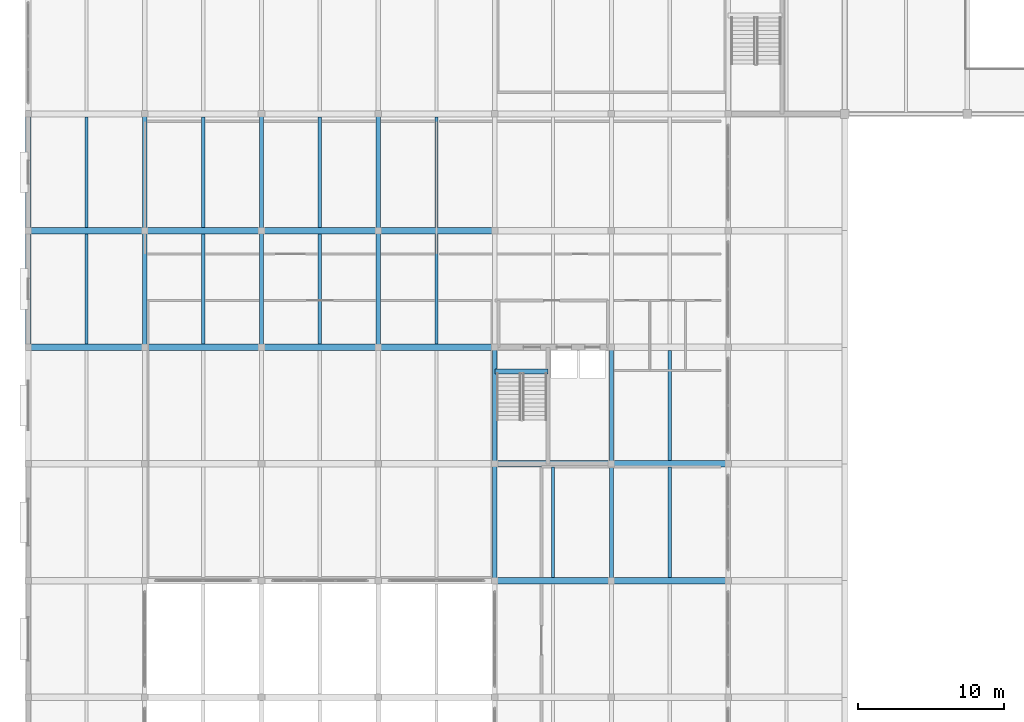
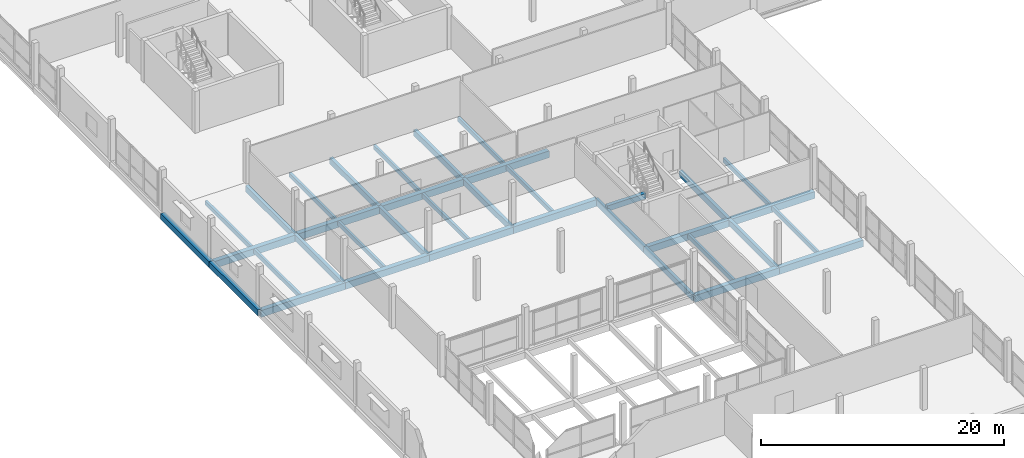
# One storey, part 13 of 53: 36 beams.
"""IFC4 building model written with IfcOpenShell, lengths in metres."""

from ifc_helpers import new_model, si_unit, direction, frame, origin, origin_2d, place, context, subcontext, project, spatial, rectangle, extrude, material, material_profile, profile_set, type_object, element, save


model = new_model("IFC4")

# Units and contexts
model_context = context("Model", 3, precision=1e-05, world=origin(), true_north=direction((0.0, 1.0)))
body_context = subcontext(model_context, "Body", "Model", "MODEL_VIEW")
ifc_project = project(units=[si_unit("LENGTHUNIT", "METRE"), si_unit("AREAUNIT", "SQUARE_METRE"), si_unit("VOLUMEUNIT", "CUBIC_METRE"), si_unit("PLANEANGLEUNIT", "RADIAN"), si_unit("MASSUNIT", "GRAM", prefix="KILO")], contexts=[model_context])

# Site, building, storey
site_placement = place(None, origin())
site = spatial("IfcSite", under=ifc_project, at=site_placement, CompositionType="ELEMENT")
building_placement = place(site_placement, origin())
building = spatial("IfcBuilding", under=site, at=building_placement, Name="Vharandega Faculty of Natural Sciences", CompositionType="ELEMENT")
storey_placement = place(building_placement, frame((0.0, 0.0, 10.199951171875)))
storey = spatial("IfcBuildingStorey", under=building, at=storey_placement, Name="L02", CompositionType="ELEMENT", Elevation=10.199951171875)

# Beams
ifc_material_1 = material(Name="Glulam GL28h", Category="wood")
ifc_material_profile_1 = material_profile(ifc_material_1, rectangle(XDim=0.300048828125, YDim=0.60009765625, at=origin_2d()), Name="GL28h 300x600")
ifc_profile_set_1 = profile_set([ifc_material_profile_1], Name="Glulam GL28h")
beam_type_1 = type_object("IfcBeamType", Name="Glulam Floor Beam 300x600", PredefinedType="BEAM", material=ifc_profile_set_1)
for number, where, z_axis, x_axis, name in (
    (1, (8.0, 48.0, -0.579833984375), (0.0, 1.0, 0.0), (-1.0, 0.0, 0.0), "Beam L02 2/G-H"),
    (2, (8.0, 56.0, -0.579833984375), (0.0, 1.0, 0.0), (-1.0, 0.0, 0.0), "Beam L02 2/H-J"),
    (3, (16.0, 48.0, -0.579833984375), (0.0, 1.0, 0.0), (-1.0, 0.0, 0.0), "Beam L02 3/G-H"),
    (4, (16.0, 56.0, -0.579833984375), (0.0, 1.0, 0.0), (-1.0, 0.0, 0.0), "Beam L02 3/H-J"),
    (5, (24.0, 48.0, -0.579833984375), (0.0, 1.0, 0.0), (-1.0, 0.0, 0.0), "Beam L02 4/G-H"),
    (6, (24.0, 56.0, -0.579833984375), (0.0, 1.0, 0.0), (-1.0, 0.0, 0.0), "Beam L02 4/H-J"),
    (7, (32.0, 32.0, -0.579833984375), (0.0, 1.0, 0.0), (-1.0, 0.0, 0.0), "Beam L02 5/E-F"),
    (8, (32.0, 40.0, -0.579833984375), (0.0, 1.0, 0.0), (-1.0, 0.0, 0.0), "Beam L02 5/F-G"),
    (9, (40.0, 32.0, -0.579833984375), (0.0, 1.0, 0.0), (-1.0, 0.0, 0.0), "Beam L02 6/E-F"),
    (10, (40.0, 40.0, -0.579833984375), (0.0, 1.0, 0.0), (-1.0, 0.0, 0.0), "Beam L02 6/F-G"),
):
    element("IfcBeam", number, at=place(storey_placement, frame(where, z_axis=z_axis, x_axis=x_axis)), inside=storey, type_object=beam_type_1, Name=name, PredefinedType="BEAM", context=body_context, shape_type="SweptSolid", body=[
        extrude(rectangle(XDim=0.300048828125, YDim=0.60009765625, at=origin_2d()), origin(), (0.0, 0.0, 1.0), 8.0),
    ])
ifc_material_2 = material(Name="Glulam GL32h", Category="wood")
ifc_material_profile_2 = material_profile(ifc_material_2, rectangle(XDim=0.43994140625, YDim=0.679931640625, at=origin_2d()), Name="GL32h 440x680")
ifc_profile_set_2 = profile_set([ifc_material_profile_2], Name="Glulam GL32h")
beam_type_2 = type_object("IfcBeamType", Name="Glulam Girder 440x680", PredefinedType="BEAM", material=ifc_profile_set_2)
for number, where, z_axis, x_axis, name in (
    (11, (32.0, 32.0, -0.619873046875), (1.0, 0.0, 0.0), (0.0, 1.0, 0.0), "Beam L02 E/5-6"),
    (12, (40.0, 32.0, -0.619873046875), (1.0, 0.0, 0.0), (0.0, 1.0, 0.0), "Beam L02 E/6-7"),
    (13, (32.0, 40.0, -0.619873046875), (1.0, 0.0, 0.0), (0.0, 1.0, 0.0), "Beam L02 F/5-6"),
    (14, (40.0, 40.0, -0.619873046875), (1.0, 0.0, 0.0), (0.0, 1.0, 0.0), "Beam L02 F/6-7"),
    (15, (0.0, 48.0, -0.619873046875), (1.0, 0.0, 0.0), (0.0, 1.0, 0.0), "Beam L02 G/1-2"),
    (16, (8.0, 48.0, -0.619873046875), (1.0, 0.0, 0.0), (0.0, 1.0, 0.0), "Beam L02 G/2-3"),
    (17, (16.0, 48.0, -0.619873046875), (1.0, 0.0, 0.0), (0.0, 1.0, 0.0), "Beam L02 G/3-4"),
    (18, (24.0, 48.0, -0.619873046875), (1.0, 0.0, 0.0), (0.0, 1.0, 0.0), "Beam L02 G/4-5"),
    (19, (0.0, 56.0, -0.619873046875), (1.0, 0.0, 0.0), (0.0, 1.0, 0.0), "Beam L02 H/1-2"),
    (20, (8.0, 56.0, -0.619873046875), (1.0, 0.0, 0.0), (0.0, 1.0, 0.0), "Beam L02 H/2-3"),
    (21, (16.0, 56.0, -0.619873046875), (1.0, 0.0, 0.0), (0.0, 1.0, 0.0), "Beam L02 H/3-4"),
    (22, (24.0, 56.0, -0.619873046875), (1.0, 0.0, 0.0), (0.0, 1.0, 0.0), "Beam L02 H/4-5"),
):
    element("IfcBeam", number, at=place(storey_placement, frame(where, z_axis=z_axis, x_axis=x_axis)), inside=storey, type_object=beam_type_2, Name=name, PredefinedType="BEAM", context=body_context, shape_type="SweptSolid", body=[
        extrude(rectangle(XDim=0.43994140625, YDim=0.679931640625, at=origin_2d()), origin(), (0.0, 0.0, 1.0), 8.0),
    ])
ifc_material_3 = material(Name="Glulam GL28h", Category="wood")
ifc_material_profile_3 = material_profile(ifc_material_3, rectangle(XDim=0.219970703125, YDim=0.43994140625, at=origin_2d()), Name="GL28h 220x440")
ifc_profile_set_3 = profile_set([ifc_material_profile_3], Name="Glulam GL28h")
beam_type_3 = type_object("IfcBeamType", Name="Glulam Secondary Joist 220x440", PredefinedType="JOIST", material=ifc_profile_set_3)
for number, where, z_axis, x_axis, name in (
    (23, (4.0, 48.219970703125, -0.5), (0.0, 1.0, 0.0), (-1.0, 0.0, 0.0), "Secondary Joist L02 1-2/G-H"),
    (24, (4.0, 56.219970703125, -0.5), (0.0, 1.0, 0.0), (-1.0, 0.0, 0.0), "Secondary Joist L02 1-2/H-J"),
    (25, (12.0, 48.219970703125, -0.5), (0.0, 1.0, 0.0), (-1.0, 0.0, 0.0), "Secondary Joist L02 2-3/G-H"),
    (26, (12.0, 56.219970703125, -0.5), (0.0, 1.0, 0.0), (-1.0, 0.0, 0.0), "Secondary Joist L02 2-3/H-J"),
    (27, (20.0, 48.219970703125, -0.5), (0.0, 1.0, 0.0), (-1.0, 0.0, 0.0), "Secondary Joist L02 3-4/G-H"),
    (28, (20.0, 56.219970703125, -0.5), (0.0, 1.0, 0.0), (-1.0, 0.0, 0.0), "Secondary Joist L02 3-4/H-J"),
    (29, (28.0, 48.219970703125, -0.5), (0.0, 1.0, 0.0), (-1.0, 0.0, 0.0), "Secondary Joist L02 4-5/G-H"),
    (30, (28.0, 56.219970703125, -0.5), (0.0, 1.0, 0.0), (-1.0, 0.0, 0.0), "Secondary Joist L02 4-5/H-J"),
    (31, (36.0, 32.219970703125, -0.5), (0.0, 1.0, 0.0), (-1.0, 0.0, 0.0), "Secondary Joist L02 5-6/E-F"),
    (32, (44.0, 32.219970703125, -0.5), (0.0, 1.0, 0.0), (-1.0, 0.0, 0.0), "Secondary Joist L02 6-7/E-F"),
    (33, (44.0, 40.219970703125, -0.5), (0.0, 1.0, 0.0), (-1.0, 0.0, 0.0), "Secondary Joist L02 6-7/F-G"),
):
    element("IfcBeam", number, at=place(storey_placement, frame(where, z_axis=z_axis, x_axis=x_axis)), inside=storey, type_object=beam_type_3, Name=name, PredefinedType="JOIST", context=body_context, shape_type="SweptSolid", body=[
        extrude(rectangle(XDim=0.219970703125, YDim=0.43994140625, at=origin_2d()), origin(), (0.0, 0.0, 1.0), 7.56005859375),
    ])
ifc_material_4 = material(Name="Glulam GL32h", Category="wood")
ifc_material_profile_4 = material_profile(ifc_material_4, rectangle(XDim=0.39990234375, YDim=0.60009765625, at=origin_2d()), Name="GL32h 400x600")
ifc_profile_set_4 = profile_set([ifc_material_profile_4], Name="Glulam GL32h")
beam_type_4 = type_object("IfcBeamType", Name="Glulam Spine Girder 400x600", PredefinedType="BEAM", material=ifc_profile_set_4)
for number, where, z_axis, x_axis, name in (
    (34, (0.0, 48.0, -0.579833984375), (0.0, 1.0, 0.0), (-1.0, 0.0, 0.0), "Beam L02 1/G-H"),
    (35, (0.0, 56.0, -0.579833984375), (0.0, 1.0, 0.0), (-1.0, 0.0, 0.0), "Beam L02 1/H-J"),
):
    element("IfcBeam", number, at=place(storey_placement, frame(where, z_axis=z_axis, x_axis=x_axis)), inside=storey, type_object=beam_type_4, Name=name, PredefinedType="BEAM", context=body_context, shape_type="SweptSolid", body=[
        extrude(rectangle(XDim=0.39990234375, YDim=0.60009765625, at=origin_2d()), origin(), (0.0, 0.0, 1.0), 8.0),
    ])
ifc_material_5 = material(Name="Concrete C40/50", Category="concrete")
ifc_material_profile_5 = material_profile(ifc_material_5, rectangle(XDim=0.35009765625, YDim=0.550048828125, at=origin_2d()), Name="RC 350x550")
ifc_profile_set_5 = profile_set([ifc_material_profile_5], Name="Concrete C40/50")
beam_type_5 = type_object("IfcBeamType", Name="Stair Header Trimmer Beam 350x550", PredefinedType="BEAM", material=ifc_profile_set_5)
beam_placement = place(storey_placement, frame((32.0, 46.35009765625, -0.27490234375), z_axis=(1.0, 0.0, 0.0), x_axis=(0.0, 1.0, 0.0)))
element("IfcBeam", 36, at=beam_placement, inside=storey, type_object=beam_type_5, Name="Stair Landing Trimmer Beam C3 L02", PredefinedType="BEAM", context=body_context, shape_type="SweptSolid", body=[
    extrude(rectangle(XDim=0.35009765625, YDim=0.550048828125, at=origin_2d()), origin(), (0.0, 0.0, 1.0), 3.639892578125),
])

save(model, "model.ifc")
